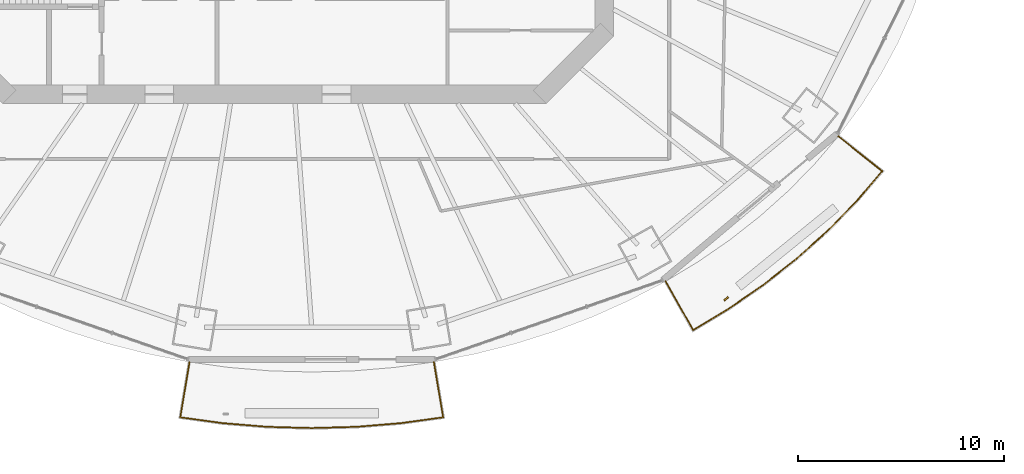
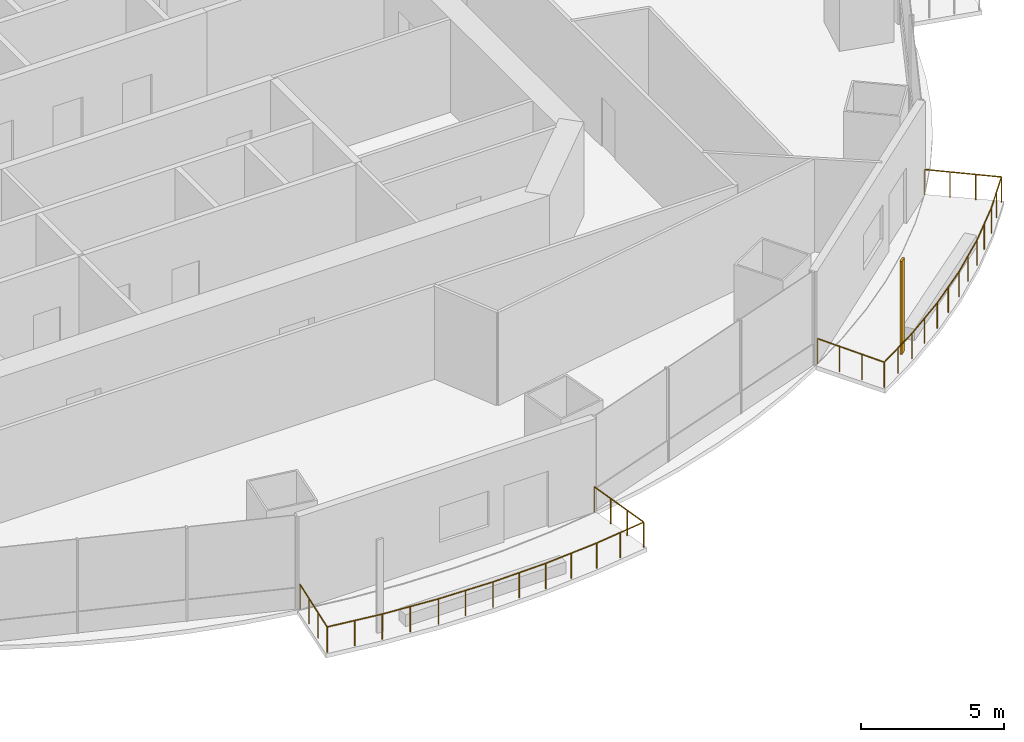
# One storey, part 15 of 19: 2 railings, 1 shading device.
"""IFC4 building model written with IfcOpenShell, lengths in metres."""

from ifc_helpers import new_model, si_unit, direction, frame, origin, origin_2d, place, context, subcontext, project, spatial, rectangle, circle, extrude, material, material_profile, profile_set, type_object, element, save


model = new_model("IFC4")

# Units and contexts
model_context = context("Model", 3, precision=1e-05, world=origin(), true_north=direction((0.0, 1.0)))
body_context = subcontext(model_context, "Body", "Model", "MODEL_VIEW")
ifc_project = project(units=[si_unit("LENGTHUNIT", "METRE"), si_unit("AREAUNIT", "SQUARE_METRE"), si_unit("VOLUMEUNIT", "CUBIC_METRE"), si_unit("PLANEANGLEUNIT", "RADIAN"), si_unit("MASSUNIT", "GRAM", prefix="KILO")], contexts=[model_context])

# Site, building, storey
site_placement = place(None, origin())
site = spatial("IfcSite", under=ifc_project, at=site_placement, CompositionType="ELEMENT")
building_placement = place(site_placement, origin())
building = spatial("IfcBuilding", under=site, at=building_placement, Name="Marenthal Gate Tower", CompositionType="ELEMENT")
storey_placement = place(building_placement, frame((0.0, 0.0, 227.449951171875)))
storey = spatial("IfcBuildingStorey", under=building, at=storey_placement, Name="L50", CompositionType="ELEMENT", Elevation=227.449951171875)

# Railings
ifc_material_1 = material(Name="Stainless steel", Category="steel")
railing_type = type_object("IfcRailingType", Name="Balcony guard 1100", PredefinedType="GUARDRAIL", material=ifc_material_1)
railing_1_placement = place(storey_placement, frame((7.7314453125, -26.000732421875, 0.0)))
element("IfcRailing", 1, at=railing_1_placement, inside=storey, type_object=railing_type, Name="Balcony guard L50 bay 12", PredefinedType="GUARDRAIL", context=body_context, shape_type="SweptSolid", body=[
    extrude(circle(Radius=0.02392578125, at=origin_2d()), frame((0.0, 0.0, 1.076171875), z_axis=(0.164948720809, -0.986192324793, -0.014717948973), x_axis=(0.986299155665, 0.164966589145, 0.0)), (0.0, 0.0, 1.0), 2.720458984375),
    extrude(circle(Radius=0.02392578125, at=origin_2d()), frame((0.44873046875, -2.682861328125, 1.0361328125), z_axis=(-0.990662192704, -0.136339355824, 0.0), x_axis=(0.136339355824, -0.990662192704, 0.0)), (0.0, 0.0, 1.0), 2.0791015625),
    extrude(circle(Radius=0.02392578125, at=origin_2d()), frame((-1.61083984375, -2.96630859375, 1.0361328125), z_axis=(-0.996591524786, -0.082494440564, 0.0), x_axis=(0.082494440564, -0.996591524786, 0.0)), (0.0, 0.0, 1.0), 2.163330078125),
    extrude(circle(Radius=0.02392578125, at=origin_2d()), frame((-3.766845703125, -3.144775390625, 1.0361328125), z_axis=(-0.999621515945, -0.027510450021, 0.0), x_axis=(0.027510450021, -0.999621515945, 0.0)), (0.0, 0.0, 1.0), 2.165283203125),
    extrude(circle(Radius=0.02392578125, at=origin_2d()), frame((-5.931396484375, -3.204345703125, 1.0361328125), z_axis=(-0.999621515945, 0.027510450021, 0.0), x_axis=(-0.027510450021, -0.999621515945, 0.0)), (0.0, 0.0, 1.0), 2.165283203125),
    extrude(circle(Radius=0.02392578125, at=origin_2d()), frame((-8.095947265625, -3.144775390625, 1.0361328125), z_axis=(-0.996591524786, 0.082494440564, 0.0), x_axis=(-0.082494440564, -0.996591524786, 0.0)), (0.0, 0.0, 1.0), 2.163330078125),
    extrude(circle(Radius=0.02392578125, at=origin_2d()), frame((-10.251953125, -2.96630859375, 1.0361328125), z_axis=(-0.990662192704, 0.136339355824, 0.0), x_axis=(-0.136339355824, -0.990662192704, 0.0)), (0.0, 0.0, 1.0), 2.0791015625),
    extrude(circle(Radius=0.02392578125, at=origin_2d()), frame((-12.3115234375, -2.682861328125, 1.0361328125), z_axis=(0.164948720809, 0.986192324793, 0.014717948973), x_axis=(-0.986299155665, 0.164966589145, 0.0)), (0.0, 0.0, 1.0), 2.720458984375),
    extrude(circle(Radius=0.02099609375, at=origin_2d()), origin(), (0.0, 0.0, 1.0), 1.052001953125),
    extrude(circle(Radius=0.02099609375, at=origin_2d()), frame((0.149658203125, -0.894287109375, -0.013427734375)), (0.0, 0.0, 1.0), 1.052001953125),
    extrude(circle(Radius=0.02099609375, at=origin_2d()), frame((0.299072265625, -1.78857421875, -0.026611328125)), (0.0, 0.0, 1.0), 1.052001953125),
    extrude(circle(Radius=0.02099609375, at=origin_2d()), frame((0.44873046875, -2.682861328125, -0.0400390625)), (0.0, 0.0, 1.0), 1.052001953125),
    extrude(circle(Radius=0.02099609375, at=origin_2d()), frame((-0.5810546875, -2.82470703125, -0.0400390625)), (0.0, 0.0, 1.0), 1.052001953125),
    extrude(circle(Radius=0.02099609375, at=origin_2d()), frame((-1.61083984375, -2.96630859375, -0.0400390625)), (0.0, 0.0, 1.0), 1.052001953125),
    extrude(circle(Radius=0.02099609375, at=origin_2d()), frame((-2.68896484375, -3.0556640625, -0.0400390625)), (0.0, 0.0, 1.0), 1.052001953125),
    extrude(circle(Radius=0.02099609375, at=origin_2d()), frame((-3.766845703125, -3.144775390625, -0.0400390625)), (0.0, 0.0, 1.0), 1.052001953125),
    extrude(circle(Radius=0.02099609375, at=origin_2d()), frame((-4.84912109375, -3.174560546875, -0.0400390625)), (0.0, 0.0, 1.0), 1.052001953125),
    extrude(circle(Radius=0.02099609375, at=origin_2d()), frame((-5.931396484375, -3.204345703125, -0.0400390625)), (0.0, 0.0, 1.0), 1.052001953125),
    extrude(circle(Radius=0.02099609375, at=origin_2d()), frame((-7.013671875, -3.174560546875, -0.0400390625)), (0.0, 0.0, 1.0), 1.052001953125),
    extrude(circle(Radius=0.02099609375, at=origin_2d()), frame((-8.095947265625, -3.144775390625, -0.0400390625)), (0.0, 0.0, 1.0), 1.052001953125),
    extrude(circle(Radius=0.02099609375, at=origin_2d()), frame((-9.173828125, -3.0556640625, -0.0400390625)), (0.0, 0.0, 1.0), 1.052001953125),
    extrude(circle(Radius=0.02099609375, at=origin_2d()), frame((-10.251953125, -2.96630859375, -0.0400390625)), (0.0, 0.0, 1.0), 1.052001953125),
    extrude(circle(Radius=0.02099609375, at=origin_2d()), frame((-11.28173828125, -2.82470703125, -0.0400390625)), (0.0, 0.0, 1.0), 1.052001953125),
    extrude(circle(Radius=0.02099609375, at=origin_2d()), frame((-12.3115234375, -2.682861328125, -0.0400390625)), (0.0, 0.0, 1.0), 1.052001953125),
    extrude(circle(Radius=0.02099609375, at=origin_2d()), frame((-12.161865234375, -1.78857421875, -0.026611328125)), (0.0, 0.0, 1.0), 1.052001953125),
    extrude(circle(Radius=0.02099609375, at=origin_2d()), frame((-12.012451171875, -0.894287109375, -0.013427734375)), (0.0, 0.0, 1.0), 1.052001953125),
    extrude(circle(Radius=0.02099609375, at=origin_2d()), frame((-11.86279296875, 0.0, 0.0)), (0.0, 0.0, 1.0), 1.052001953125),
])
railing_2_placement = place(storey_placement, frame((27.3662109375, -15.04345703125, 0.0)))
element("IfcRailing", 2, at=railing_2_placement, inside=storey, type_object=railing_type, Name="Balcony guard L50 bay 14", PredefinedType="GUARDRAIL", context=body_context, shape_type="SweptSolid", body=[
    extrude(circle(Radius=0.02392578125, at=origin_2d()), frame((0.0, 0.0, 1.076171875), z_axis=(0.782855020802, -0.62203005264, -0.014718356461), x_axis=(0.622097438779, 0.78293982953, 0.0)), (0.0, 0.0, 1.0), 2.720458984375),
    extrude(circle(Radius=0.02392578125, at=origin_2d()), frame((2.129638671875, -1.692138671875, 1.0361328125), z_axis=(-0.649961690438, -0.7599669736, 0.0), x_axis=(0.7599669736, -0.649961690438, 0.0)), (0.0, 0.0, 1.0), 1.915283203125),
    extrude(circle(Radius=0.02392578125, at=origin_2d()), frame((0.884765625, -3.147705078125, 1.0361328125), z_axis=(-0.698745300924, -0.715370536461, 0.0), x_axis=(0.715370536461, -0.698745300924, 0.0)), (0.0, 0.0, 1.0), 2.01171875),
    extrude(circle(Radius=0.02392578125, at=origin_2d()), frame((-0.52099609375, -4.5869140625, 1.0361328125), z_axis=(-0.744340445793, -0.667800344981, 0.0), x_axis=(0.667800344981, -0.744340445793, 0.0)), (0.0, 0.0, 1.0), 2.028564453125),
    extrude(circle(Radius=0.02392578125, at=origin_2d()), frame((-2.031005859375, -5.941650390625, 1.0361328125), z_axis=(-0.785792171054, -0.618490633648, 0.0), x_axis=(0.618490633648, -0.785792171054, 0.0)), (0.0, 0.0, 1.0), 2.0458984375),
    extrude(circle(Radius=0.02392578125, at=origin_2d()), frame((-3.638671875, -7.20703125, 1.0361328125), z_axis=(-0.823243306464, -0.567688698462, 0.0), x_axis=(0.567688698462, -0.823243306464, 0.0)), (0.0, 0.0, 1.0), 2.0625),
    extrude(circle(Radius=0.02392578125, at=origin_2d()), frame((-5.336669921875, -8.3779296875, 1.0361328125), z_axis=(-0.856034878553, -0.516918065751, 0.0), x_axis=(0.516918065751, -0.856034878553, 0.0)), (0.0, 0.0, 1.0), 1.999267578125),
    extrude(circle(Radius=0.02392578125, at=origin_2d()), frame((-7.048095703125, -9.411376953125, 1.0361328125), z_axis=(-0.489760652224, 0.871732676388, 0.014718846796), x_axis=(-0.871827119757, -0.489813712809, 0.0)), (0.0, 0.0, 1.0), 2.72021484375),
    extrude(circle(Radius=0.02099609375, at=origin_2d()), origin(), (0.0, 0.0, 1.0), 1.052001953125),
    extrude(circle(Radius=0.02099609375, at=origin_2d()), frame((0.7099609375, -0.56396484375, -0.013427734375)), (0.0, 0.0, 1.0), 1.052001953125),
    extrude(circle(Radius=0.02099609375, at=origin_2d()), frame((1.419677734375, -1.128173828125, -0.026611328125)), (0.0, 0.0, 1.0), 1.052001953125),
    extrude(circle(Radius=0.02099609375, at=origin_2d()), frame((2.129638671875, -1.692138671875, -0.0400390625)), (0.0, 0.0, 1.0), 1.052001953125),
    extrude(circle(Radius=0.02099609375, at=origin_2d()), frame((1.50732421875, -2.419921875, -0.0400390625)), (0.0, 0.0, 1.0), 1.052001953125),
    extrude(circle(Radius=0.02099609375, at=origin_2d()), frame((0.884765625, -3.147705078125, -0.0400390625)), (0.0, 0.0, 1.0), 1.052001953125),
    extrude(circle(Radius=0.02099609375, at=origin_2d()), frame((0.181884765625, -3.8671875, -0.0400390625)), (0.0, 0.0, 1.0), 1.052001953125),
    extrude(circle(Radius=0.02099609375, at=origin_2d()), frame((-0.52099609375, -4.5869140625, -0.0400390625)), (0.0, 0.0, 1.0), 1.052001953125),
    extrude(circle(Radius=0.02099609375, at=origin_2d()), frame((-1.27587890625, -5.26416015625, -0.0400390625)), (0.0, 0.0, 1.0), 1.052001953125),
    extrude(circle(Radius=0.02099609375, at=origin_2d()), frame((-2.031005859375, -5.941650390625, -0.0400390625)), (0.0, 0.0, 1.0), 1.052001953125),
    extrude(circle(Radius=0.02099609375, at=origin_2d()), frame((-2.8349609375, -6.57421875, -0.0400390625)), (0.0, 0.0, 1.0), 1.052001953125),
    extrude(circle(Radius=0.02099609375, at=origin_2d()), frame((-3.638671875, -7.20703125, -0.0400390625)), (0.0, 0.0, 1.0), 1.052001953125),
    extrude(circle(Radius=0.02099609375, at=origin_2d()), frame((-4.48779296875, -7.79248046875, -0.0400390625)), (0.0, 0.0, 1.0), 1.052001953125),
    extrude(circle(Radius=0.02099609375, at=origin_2d()), frame((-5.336669921875, -8.3779296875, -0.0400390625)), (0.0, 0.0, 1.0), 1.052001953125),
    extrude(circle(Radius=0.02099609375, at=origin_2d()), frame((-6.1923828125, -8.89453125, -0.0400390625)), (0.0, 0.0, 1.0), 1.052001953125),
    extrude(circle(Radius=0.02099609375, at=origin_2d()), frame((-7.048095703125, -9.411376953125, -0.0400390625)), (0.0, 0.0, 1.0), 1.052001953125),
    extrude(circle(Radius=0.02099609375, at=origin_2d()), frame((-7.4921875, -8.620849609375, -0.026611328125)), (0.0, 0.0, 1.0), 1.052001953125),
    extrude(circle(Radius=0.02099609375, at=origin_2d()), frame((-7.936279296875, -7.83056640625, -0.013427734375)), (0.0, 0.0, 1.0), 1.052001953125),
    extrude(circle(Radius=0.02099609375, at=origin_2d()), frame((-8.38037109375, -7.0400390625, 0.0)), (0.0, 0.0, 1.0), 1.052001953125),
])

# Shading device
ifc_material_2 = material(Name="Terracotta", Category="masonry")
ifc_material_profile = material_profile(ifc_material_2, rectangle(XDim=0.25, YDim=0.080078125, at=origin_2d()), Name="Terracotta baguette 250x80")
ifc_profile_set = profile_set([ifc_material_profile], Name="Terracotta")
shading_device_type = type_object("IfcShadingDeviceType", Name="Terracotta BAGUETTE SCREEN 250x80", PredefinedType="USERDEFINED", material=ifc_profile_set)
shading_device_placement = place(storey_placement, frame((21.92041015625, -22.927978515625, -0.0400390625), z_axis=(0.0, 0.0, 1.0), x_axis=(0.765550876952, 0.643375360732, 0.0)))
element("IfcShadingDevice", 3, at=shading_device_placement, inside=storey, type_object=shading_device_type, Name="Terracotta BAGUETTE L50 bay 14L", ObjectType="BAGUETTE SCREEN", PredefinedType="USERDEFINED", context=body_context, shape_type="SweptSolid", body=[
    extrude(rectangle(XDim=0.25, YDim=0.080078125, at=origin_2d()), origin(), (0.0, 0.0, 1.0), 3.969970703125),
])

save(model, "model.ifc")
